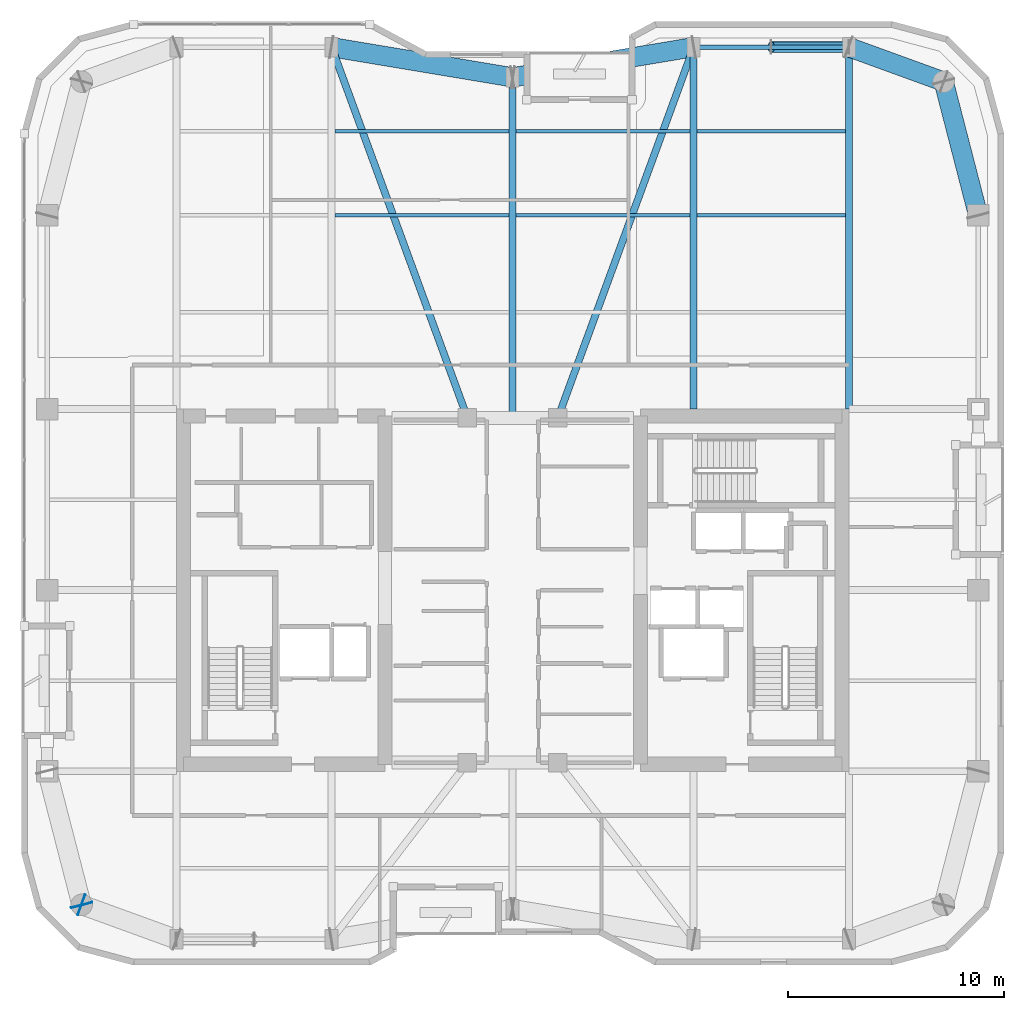
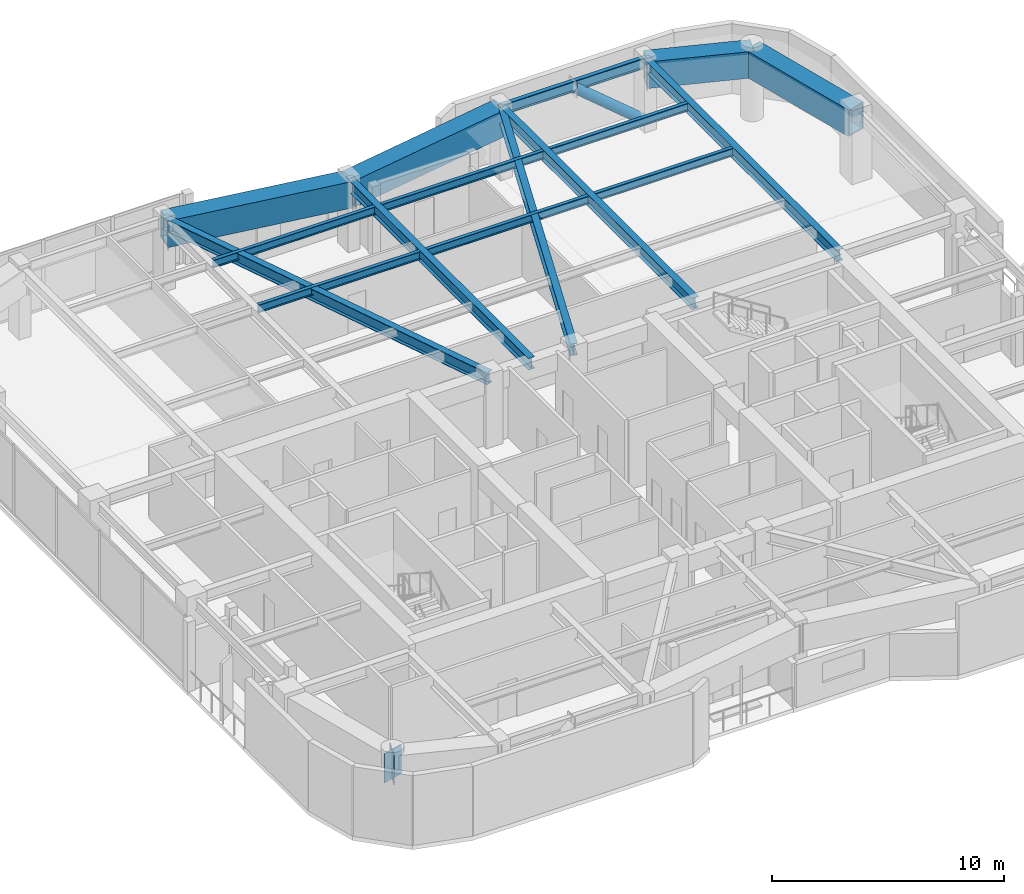
# One storey, part 11 of 21: 16 beams, 2 plates, 1 member.
"""IFC4 building model written with IfcOpenShell, lengths in metres."""

from ifc_helpers import new_model, si_unit, direction, frame, origin, origin_2d, place, context, subcontext, project, spatial, rectangle, hollow_rectangle, hollow_circle, i_section, extrude, material, layer, layer_set, material_profile, profile_set, type_object, element, save


model = new_model("IFC4")

# Units and contexts
model_context = context("Model", 3, precision=1e-05, world=origin(), true_north=direction((0.0, 1.0)))
body_context = subcontext(model_context, "Body", "Model", "MODEL_VIEW")
ifc_project = project(units=[si_unit("LENGTHUNIT", "METRE"), si_unit("AREAUNIT", "SQUARE_METRE"), si_unit("VOLUMEUNIT", "CUBIC_METRE"), si_unit("PLANEANGLEUNIT", "RADIAN"), si_unit("MASSUNIT", "GRAM", prefix="KILO")], contexts=[model_context])

# Site, building, storey
site_placement = place(None, origin())
site = spatial("IfcSite", under=ifc_project, at=site_placement, CompositionType="ELEMENT")
building_placement = place(site_placement, origin())
building = spatial("IfcBuilding", under=site, at=building_placement, Name="Kiyonajd Concourse Tower", CompositionType="ELEMENT")
storey_placement = place(building_placement, frame((0.0, 0.0, 231.0)))
storey = spatial("IfcBuildingStorey", under=building, at=storey_placement, Name="L58", CompositionType="ELEMENT", Elevation=231.0)

# Beams
ifc_material_1 = material(Name="Steel ASTM A992 Grade 50", Category="steel")
ifc_material_profile_1 = material_profile(ifc_material_1, i_section(OverallWidth=0.180908203125, OverallDepth=0.4169921875, WebThickness=0.010986328125, FlangeThickness=0.018310546875, at=origin_2d()), Name="W410X85")
ifc_profile_set_1 = profile_set([ifc_material_profile_1], Name="Steel ASTM A992 Grade 50")
beam_type_1 = type_object("IfcBeamType", Name="BM-JST-410", PredefinedType="JOIST", material=ifc_profile_set_1)
for number, where, z_axis, x_axis, name in (
    (1, (39.761962890625, 53.39990234375, 3.471435546875), (1.0, 0.0, 0.0), (0.0, 1.0, 0.0), "L58 Secondary Floor Joist"),
    (2, (48.162109375, 53.39990234375, 3.471435546875), (1.0, 0.0, 0.0), (0.0, 1.0, 0.0), "L58 Secondary Floor Joist"),
):
    element("IfcBeam", number, at=place(storey_placement, frame(where, z_axis=z_axis, x_axis=x_axis)), inside=storey, type_object=beam_type_1, Name=name, PredefinedType="JOIST", context=body_context, shape_type="SweptSolid", body=[
        extrude(i_section(OverallWidth=0.180908203125, OverallDepth=0.4169921875, WebThickness=0.010986328125, FlangeThickness=0.018310546875, at=origin_2d()), origin(), (0.0, 0.0, 1.0), 8.075927734375),
    ])
beam_1_placement = place(storey_placement, frame((56.56201171875, 53.39990234375, 3.471435546875), z_axis=(1.0, 0.0, 0.0), x_axis=(0.0, 1.0, 0.0)))
element("IfcBeam", 3, at=beam_1_placement, inside=storey, type_object=beam_type_1, Name="L58 Secondary Floor Joist", PredefinedType="JOIST", context=body_context, shape_type="SweptSolid", body=[
    extrude(i_section(OverallWidth=0.180908203125, OverallDepth=0.4169921875, WebThickness=0.010986328125, FlangeThickness=0.018310546875, at=origin_2d()), origin(), (0.0, 0.0, 1.0), 6.8759765625),
])
for number, where, z_axis, x_axis, name in (
    (4, (39.761962890625, 57.300048828125, 3.471435546875), (1.0, 0.0, 0.0), (0.0, 1.0, 0.0), "L58 Secondary Floor Joist"),
    (5, (48.162109375, 57.300048828125, 3.471435546875), (1.0, 0.0, 0.0), (0.0, 1.0, 0.0), "L58 Secondary Floor Joist"),
):
    element("IfcBeam", number, at=place(storey_placement, frame(where, z_axis=z_axis, x_axis=x_axis)), inside=storey, type_object=beam_type_1, Name=name, PredefinedType="JOIST", context=body_context, shape_type="SweptSolid", body=[
        extrude(i_section(OverallWidth=0.180908203125, OverallDepth=0.4169921875, WebThickness=0.010986328125, FlangeThickness=0.018310546875, at=origin_2d()), origin(), (0.0, 0.0, 1.0), 8.075927734375),
    ])
beam_2_placement = place(storey_placement, frame((56.56201171875, 57.300048828125, 3.471435546875), z_axis=(1.0, 0.0, 0.0), x_axis=(0.0, 1.0, 0.0)))
element("IfcBeam", 6, at=beam_2_placement, inside=storey, type_object=beam_type_1, Name="L58 Secondary Floor Joist", PredefinedType="JOIST", context=body_context, shape_type="SweptSolid", body=[
    extrude(i_section(OverallWidth=0.180908203125, OverallDepth=0.4169921875, WebThickness=0.010986328125, FlangeThickness=0.018310546875, at=origin_2d()), origin(), (0.0, 0.0, 1.0), 6.8759765625),
])
ifc_material_profile_2 = material_profile(ifc_material_1, i_section(OverallWidth=0.214111328125, OverallDepth=0.549072265625, WebThickness=0.0146484375, FlangeThickness=0.023681640625, at=origin_2d()), Name="W530X138")
ifc_profile_set_2 = profile_set([ifc_material_profile_2], Name="Steel ASTM A992 Grade 50")
beam_type_2 = type_object("IfcBeamType", Name="BM-SPAN-530A", PredefinedType="SPANDREL", material=ifc_profile_set_2)
beam_3_placement = place(storey_placement, frame((63.60009765625, 61.199951171875, 3.405517578125), z_axis=(-1.0, 0.0, 0.0), x_axis=(0.0, -1.0, 0.0)))
element("IfcBeam", 7, at=beam_3_placement, inside=storey, type_object=beam_type_2, Name="L58 Perimeter Bundled Tube Spandrel", PredefinedType="SPANDREL", context=body_context, shape_type="SweptSolid", body=[
    extrude(i_section(OverallWidth=0.214111328125, OverallDepth=0.549072265625, WebThickness=0.0146484375, FlangeThickness=0.023681640625, at=origin_2d()), origin(), (0.0, 0.0, 1.0), 7.2001953125),
])
ifc_material_profile_3 = material_profile(ifc_material_1, i_section(OverallWidth=0.326904296875, OverallDepth=0.6220703125, WebThickness=0.015380859375, FlangeThickness=0.0244140625, at=origin_2d()), Name="W610X195")
ifc_profile_set_3 = profile_set([ifc_material_profile_3], Name="Steel ASTM A992 Grade 50")
beam_type_3 = type_object("IfcBeamType", Name="BM-TWR-610A", PredefinedType="BEAM", material=ifc_profile_set_3)
for number, where, z_axis, x_axis, name in (
    (8, (39.60009765625, 61.199951171875, 3.368896484375), (0.343925269715, -0.938997022813, 0.0), (0.938997022813, 0.343925269715, 0.0), "L58 Core Tie Girder"),
    (9, (50.10009765625, 44.0, 3.368896484375), (0.343925269715, 0.938997022813, 0.0), (-0.938997022813, 0.343925269715, 0.0), "L58 Core Tie Girder"),
):
    element("IfcBeam", number, at=place(storey_placement, frame(where, z_axis=z_axis, x_axis=x_axis)), inside=storey, type_object=beam_type_3, Name=name, PredefinedType="BEAM", context=body_context, shape_type="SweptSolid", body=[
        extrude(i_section(OverallWidth=0.326904296875, OverallDepth=0.6220703125, WebThickness=0.015380859375, FlangeThickness=0.0244140625, at=origin_2d()), origin(), (0.0, 0.0, 1.0), 18.3173828125),
    ])
ifc_material_profile_4 = material_profile(ifc_material_1, i_section(OverallWidth=0.323974609375, OverallDepth=0.611083984375, WebThickness=0.0126953125, FlangeThickness=0.01904296875, at=origin_2d()), Name="W610X155")
ifc_profile_set_4 = profile_set([ifc_material_profile_4], Name="Steel ASTM A992 Grade 50")
beam_type_4 = type_object("IfcBeamType", Name="BM-TWR-610B", PredefinedType="BEAM", material=ifc_profile_set_4)
for number, where, z_axis, x_axis, name in (
    (10, (56.39990234375, 44.39990234375, 3.37451171875), (0.0, 1.0, 0.0), (-1.0, 0.0, 0.0), "L58 North Lease Girder"),
    (11, (63.60009765625, 44.39990234375, 3.37451171875), (0.0, 1.0, 0.0), (-1.0, 0.0, 0.0), "L58 North Lease Girder"),
):
    element("IfcBeam", number, at=place(storey_placement, frame(where, z_axis=z_axis, x_axis=x_axis)), inside=storey, type_object=beam_type_4, Name=name, PredefinedType="BEAM", context=body_context, shape_type="SweptSolid", body=[
        extrude(i_section(OverallWidth=0.323974609375, OverallDepth=0.611083984375, WebThickness=0.0126953125, FlangeThickness=0.01904296875, at=origin_2d()), origin(), (0.0, 0.0, 1.0), 16.800048828125),
    ])
beam_4_placement = place(storey_placement, frame((48.0, 44.0, 3.37451171875), z_axis=(0.0, 1.0, 0.0), x_axis=(-1.0, 0.0, 0.0)))
element("IfcBeam", 12, at=beam_4_placement, inside=storey, type_object=beam_type_4, Name="L58 North Ribbon Girder", PredefinedType="BEAM", context=body_context, shape_type="SweptSolid", body=[
    extrude(i_section(OverallWidth=0.323974609375, OverallDepth=0.611083984375, WebThickness=0.0126953125, FlangeThickness=0.01904296875, at=origin_2d()), origin(), (0.0, 0.0, 1.0), 15.800048828125),
])
ifc_material_2 = material(Name="Steel ASTM A572 Grade 50", Category="steel")
ifc_material_profile_5 = material_profile(ifc_material_2, hollow_rectangle(XDim=0.89990234375, YDim=1.39990234375, WallThickness=0.070068359375, at=origin_2d()), Name="BOX-1400x900x70")
ifc_profile_set_5 = profile_set([ifc_material_profile_5], Name="Steel ASTM A572 Grade 50")
beam_type_5 = type_object("IfcBeamType", Name="BM-XFER-1400", PredefinedType="BEAM", material=ifc_profile_set_5)
beam_5_placement = place(storey_placement, frame((69.60009765625, 53.39990234375, 2.97998046875), z_axis=(-0.249884937687, 0.968275538221, 0.0), x_axis=(-0.968275538221, -0.249884937687, 0.0)))
element("IfcBeam", 13, at=beam_5_placement, inside=storey, type_object=beam_type_5, Name="L58 Perimeter Bundled Tube Spandrel", PredefinedType="BEAM", context=body_context, shape_type="SweptSolid", body=[
    extrude(hollow_rectangle(XDim=0.89990234375, YDim=1.39990234375, WallThickness=0.070068359375, at=origin_2d()), origin(), (0.0, 0.0, 1.0), 6.4033203125),
])
beam_6_placement = place(storey_placement, frame((68.0, 59.60009765625, 2.97998046875), z_axis=(-0.939801036019, 0.341722127901, 0.0), x_axis=(-0.341722127901, -0.939801036019, 0.0)))
element("IfcBeam", 14, at=beam_6_placement, inside=storey, type_object=beam_type_5, Name="L58 Perimeter Bundled Tube Spandrel", PredefinedType="BEAM", context=body_context, shape_type="SweptSolid", body=[
    extrude(hollow_rectangle(XDim=0.89990234375, YDim=1.39990234375, WallThickness=0.070068359375, at=origin_2d()), origin(), (0.0, 0.0, 1.0), 4.681640625),
])
for number, where, z_axis, x_axis, name in (
    (15, (56.39990234375, 61.199951171875, 2.97998046875), (-0.986395473479, -0.164389689151, 0.0), (0.164389689151, -0.986395473479, 0.0), "L58 Perimeter Bundled Tube Spandrel"),
    (16, (48.0, 59.800048828125, 2.97998046875), (-0.986395473479, 0.164389689151, 0.0), (-0.164389689151, -0.986395473479, 0.0), "L58 Perimeter Bundled Tube Spandrel"),
):
    element("IfcBeam", number, at=place(storey_placement, frame(where, z_axis=z_axis, x_axis=x_axis)), inside=storey, type_object=beam_type_5, Name=name, PredefinedType="BEAM", context=body_context, shape_type="SweptSolid", body=[
        extrude(hollow_rectangle(XDim=0.89990234375, YDim=1.39990234375, WallThickness=0.070068359375, at=origin_2d()), origin(), (0.0, 0.0, 1.0), 8.515869140625),
    ])

# Member
ifc_material_3 = material(Name="Steel ASTM A500 Grade C", Category="steel")
ifc_material_profile_6 = material_profile(ifc_material_3, hollow_circle(Radius=0.25390625, WallThickness=0.02197265625, at=origin_2d()), Name="CHS-508x22")
ifc_profile_set_6 = profile_set([ifc_material_profile_6], Name="Steel ASTM A500 Grade C")
member_type = type_object("IfcMemberType", Name="MB-PB-MID", PredefinedType="BRACE", material=ifc_profile_set_6)
member_placement = place(storey_placement, frame((63.60009765625, 61.199951171875, 0.300048828125), z_axis=(-0.765082043761, 0.0, 0.643932811957), x_axis=(0.0, -1.0, 0.0)))
element("IfcMember", 17, at=member_placement, inside=storey, type_object=member_type, Name="L58 Upper Zone Hollow Tube Brace PBN", PredefinedType="BRACE", context=body_context, shape_type="SweptSolid", body=[
    extrude(hollow_circle(Radius=0.25390625, WallThickness=0.02197265625, at=origin_2d()), origin(), (0.0, 0.0, 1.0), 4.70556640625),
])

# Plates
ifc_layer = layer(ifc_material_2, 0.031982421875)
ifc_layer_set = layer_set([ifc_layer], Name="Steel ASTM A572 Grade 50")
plate_type = type_object("IfcPlateType", Name="PL-CAP-540", PredefinedType="USERDEFINED", material=ifc_layer_set)
for number, where, z_axis, x_axis, name in (
    (18, (28.002685546875, 21.389404296875, 2.2099609375), (0.0, 0.0, 1.0), (0.249873048837, -0.968278606324, 0.0), "L58 Welded Box Girder End Cap"),
    (19, (27.98974609375, 21.40380859375, 2.2099609375), (0.0, 0.0, 1.0), (-0.939811951086, 0.341692107891, 0.0), "L58 Welded Box Girder End Cap"),
):
    element("IfcPlate", number, at=place(storey_placement, frame(where, z_axis=z_axis, x_axis=x_axis)), inside=storey, type_object=plate_type, Name=name, ObjectType="CAP PLATE", PredefinedType="USERDEFINED", context=body_context, shape_type="SweptSolid", body=[
        extrude(rectangle(XDim=0.035888671875, YDim=1.02001953125, at=origin_2d()), origin(), (0.0, 0.0, 1.0), 1.5400390625),
    ])

save(model, "model.ifc")
